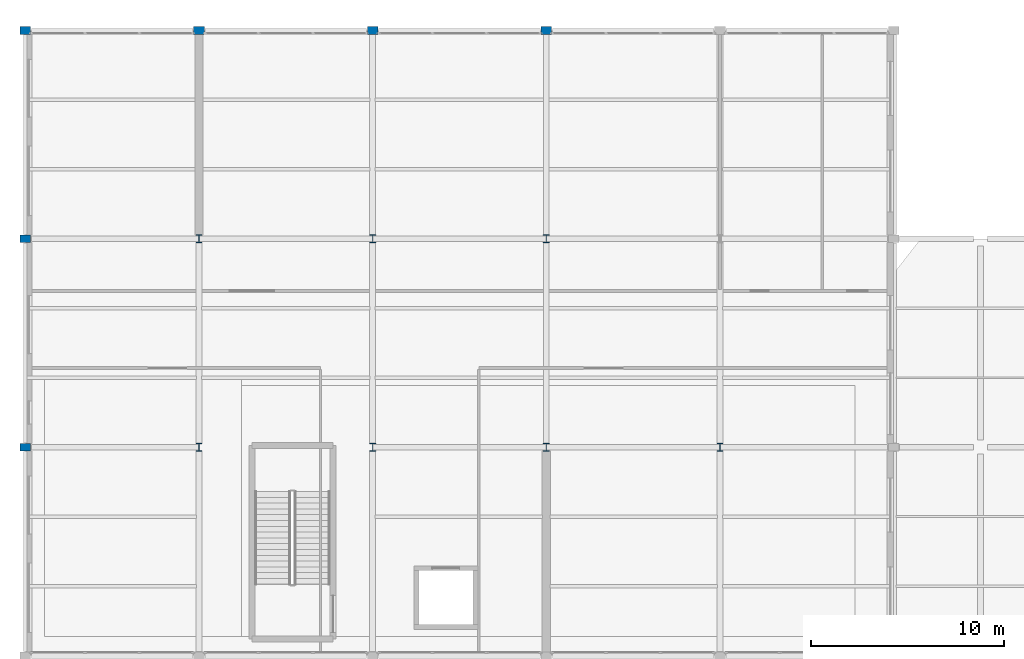
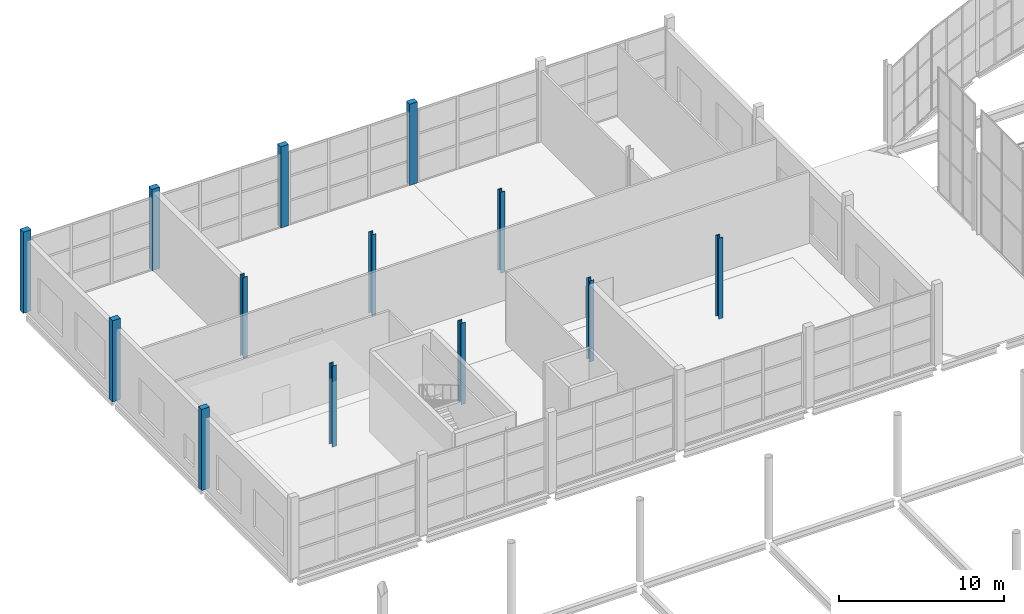
# One storey, part 9 of 191: 13 columns.
"""IFC4 building model written with IfcOpenShell, lengths in metres."""

from ifc_helpers import new_model, si_unit, direction, frame, origin, origin_2d, place, context, subcontext, project, spatial, rectangle, i_section, extrude, material, material_profile, profile_set, type_object, element, save


model = new_model("IFC4")

# Units and contexts
model_context = context("Model", 3, precision=1e-05, world=origin(), true_north=direction((0.0, 1.0)))
body_context = subcontext(model_context, "Body", "Model", "MODEL_VIEW")
ifc_project = project(units=[si_unit("LENGTHUNIT", "METRE"), si_unit("AREAUNIT", "SQUARE_METRE"), si_unit("VOLUMEUNIT", "CUBIC_METRE"), si_unit("PLANEANGLEUNIT", "RADIAN"), si_unit("MASSUNIT", "GRAM", prefix="KILO")], contexts=[model_context])

# Site, building, storey
site_placement = place(None, origin())
site = spatial("IfcSite", under=ifc_project, at=site_placement, CompositionType="ELEMENT")
building_placement = place(site_placement, origin())
building = spatial("IfcBuilding", under=site, at=building_placement, Name="Tamarisk Ironworks Central Station", CompositionType="ELEMENT")
storey_placement = place(building_placement, frame((0.0, 0.0, 6.60009765625)))
storey = spatial("IfcBuildingStorey", under=building, at=storey_placement, Name="L01", CompositionType="ELEMENT", Elevation=6.60009765625)

# Columns
ifc_material_1 = material(Name="Clay facing brickwork and mortar", Category="masonry")
ifc_material_profile_1 = material_profile(ifc_material_1, rectangle(XDim=0.550048828125, YDim=0.39990234375, at=origin_2d()), Name="PIL 550x400")
ifc_profile_set_1 = profile_set([ifc_material_profile_1], Name="Clay facing brickwork and mortar")
column_type_1 = type_object("IfcColumnType", Name="COL-PIL02", PredefinedType="PILASTER", material=ifc_profile_set_1)
for number, where, z_axis, x_axis, name in (
    (1, (0.0, 100.800048828125, 0.0), (0.0, 0.0, 1.0), (1.0, 0.0, 0.0), "L01 column V4-01J"),
    (2, (0.0, 111.60009765625, 0.0), (0.0, 0.0, 1.0), (1.0, 0.0, 0.0), "L01 column V4-01L"),
    (3, (0.0, 122.39990234375, 0.0), (0.0, 0.0, 1.0), (1.0, 0.0, 0.0), "L01 column V4-01N"),
    (4, (9.0, 122.39990234375, 0.0), (0.0, 0.0, 1.0), (1.0, 0.0, 0.0), "L01 column V4-02N"),
    (5, (18.0, 122.39990234375, 0.0), (0.0, 0.0, 1.0), (1.0, 0.0, 0.0), "L01 column V4-03N"),
    (6, (27.0, 122.39990234375, 0.0), (0.0, 0.0, 1.0), (1.0, 0.0, 0.0), "L01 column V4-04N"),
):
    element("IfcColumn", number, at=place(storey_placement, frame(where, z_axis=z_axis, x_axis=x_axis)), inside=storey, type_object=column_type_1, Name=name, PredefinedType="PILASTER", context=body_context, shape_type="SweptSolid", body=[
        extrude(rectangle(XDim=0.550048828125, YDim=0.39990234375, at=origin_2d()), origin(), (0.0, 0.0, 1.0), 6.0),
    ])
ifc_material_2 = material(Name="Structural steel S355J2", Category="steel")
ifc_material_profile_2 = material_profile(ifc_material_2, i_section(OverallWidth=0.300048828125, OverallDepth=0.39990234375, WebThickness=0.013427734375, FlangeThickness=0.02392578125, at=origin_2d()), Name="HEB 400")
ifc_profile_set_2 = profile_set([ifc_material_profile_2], Name="Structural steel S355J2")
column_type_2 = type_object("IfcColumnType", Name="COL-S09", PredefinedType="COLUMN", material=ifc_profile_set_2)
for number, where, z_axis, x_axis, name in (
    (7, (9.0, 100.800048828125, 0.0), (0.0, 0.0, 1.0), (1.0, 0.0, 0.0), "L01 column V4-02J"),
    (8, (9.0, 111.60009765625, 0.0), (0.0, 0.0, 1.0), (1.0, 0.0, 0.0), "L01 column V4-02L"),
    (9, (18.0, 100.800048828125, 0.0), (0.0, 0.0, 1.0), (1.0, 0.0, 0.0), "L01 column V4-03J"),
    (10, (18.0, 111.60009765625, 0.0), (0.0, 0.0, 1.0), (1.0, 0.0, 0.0), "L01 column V4-03L"),
    (11, (27.0, 100.800048828125, 0.0), (0.0, 0.0, 1.0), (1.0, 0.0, 0.0), "L01 column V4-04J"),
    (12, (27.0, 111.60009765625, 0.0), (0.0, 0.0, 1.0), (1.0, 0.0, 0.0), "L01 column V4-04L"),
    (13, (36.0, 100.800048828125, 0.0), (0.0, 0.0, 1.0), (1.0, 0.0, 0.0), "L01 column V4-05J"),
):
    element("IfcColumn", number, at=place(storey_placement, frame(where, z_axis=z_axis, x_axis=x_axis)), inside=storey, type_object=column_type_2, Name=name, PredefinedType="COLUMN", context=body_context, shape_type="SweptSolid", body=[
        extrude(i_section(OverallWidth=0.300048828125, OverallDepth=0.39990234375, WebThickness=0.013427734375, FlangeThickness=0.02392578125, at=origin_2d()), origin(), (0.0, 0.0, 1.0), 6.0),
    ])

save(model, "model.ifc")
